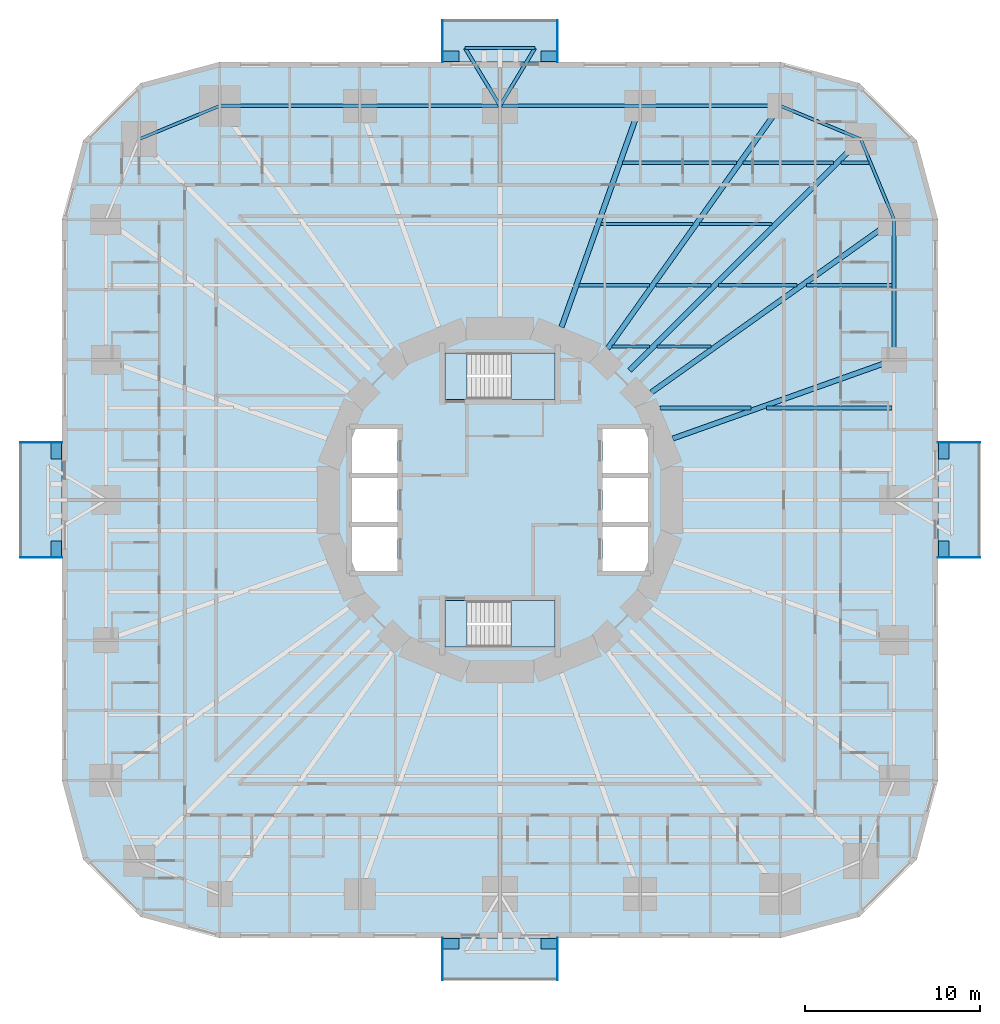
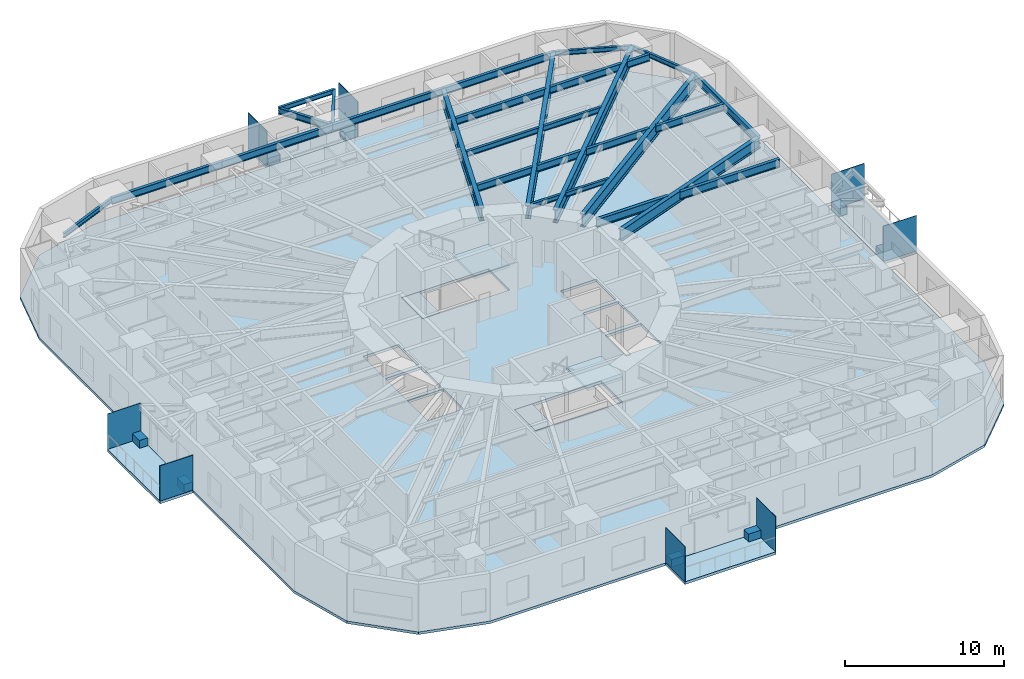
# One storey, part 3 of 14: 29 beams, 16 plates, 9 slabs, 2 elements without a shape of their own.
"""IFC4 building model written with IfcOpenShell, lengths in metres."""

from ifc_helpers import new_model, si_unit, direction, frame, origin, origin_2d, place, context, subcontext, project, spatial, polyline, rectangle, i_section, outline, extrude, material, layer, layer_set, material_profile, profile_set, type_object, element, aggregate, save


model = new_model("IFC4")

# Units and contexts
model_context = context("Model", 3, precision=1e-05, world=origin(), true_north=direction((0.0, 1.0)))
body_context = subcontext(model_context, "Body", "Model", "MODEL_VIEW")
ifc_project = project(units=[si_unit("LENGTHUNIT", "METRE"), si_unit("AREAUNIT", "SQUARE_METRE"), si_unit("VOLUMEUNIT", "CUBIC_METRE"), si_unit("PLANEANGLEUNIT", "RADIAN"), si_unit("MASSUNIT", "GRAM", prefix="KILO")], contexts=[model_context])

# Site, building, storey
site_placement = place(None, origin())
site = spatial("IfcSite", under=ifc_project, at=site_placement, CompositionType="ELEMENT")
building_placement = place(site_placement, origin())
building = spatial("IfcBuilding", under=site, at=building_placement, Name="Nakasero Lantern House", CompositionType="ELEMENT")
storey_placement = place(building_placement, frame((0.0, 0.0, 19.85009765625)))
storey = spatial("IfcBuildingStorey", under=building, at=storey_placement, Name="L04", CompositionType="ELEMENT", Elevation=19.85009765625)

# Beams
ifc_material_1 = material(Name="Steel S355", Category="steel")
ifc_material_profile_1 = material_profile(ifc_material_1, i_section(OverallWidth=0.199462890625, OverallDepth=0.491943359375, WebThickness=0.01806640625, FlangeThickness=0.031982421875, FilletRadius=0.01025390625, at=origin_2d()), Name="UB 457x191x161")
ifc_profile_set_1 = profile_set([ifc_material_profile_1], Name="Steel S355")
beam_type_1 = type_object("IfcBeamType", Name="Balcony splay beam UB 457x191x161", PredefinedType="BEAM", material=ifc_profile_set_1)
for number, where, z_axis, x_axis, name in (
    (1, (0.0, 22.5, 3.40380859375), (-0.518296107317, 0.855201230787, 0.0), (-0.855201230787, -0.518296107317, 0.0), "Balcony splay beam L05 B1-C09A"),
    (2, (0.0, 22.5, 3.40380859375), (0.518296107317, 0.855201230787, 0.0), (-0.855201230787, 0.518296107317, 0.0), "Balcony splay beam L05 B1-C09B"),
):
    element("IfcBeam", number, at=place(storey_placement, frame(where, z_axis=z_axis, x_axis=x_axis)), inside=storey, type_object=beam_type_1, Name=name, PredefinedType="BEAM", context=body_context, shape_type="SweptSolid", body=[
        extrude(i_section(OverallWidth=0.199462890625, OverallDepth=0.491943359375, WebThickness=0.01806640625, FlangeThickness=0.031982421875, FilletRadius=0.01025390625, at=origin_2d()), origin(), (0.0, 0.0, 1.0), 3.85888671875),
    ])
ifc_material_2 = material(Name="Steel S355", Category="steel")
ifc_material_profile_2 = material_profile(ifc_material_2, i_section(OverallWidth=0.17138671875, OverallDepth=0.35498046875, WebThickness=0.00732421875, FlangeThickness=0.011474609375, FilletRadius=0.01025390625, at=origin_2d()), Name="UB 356x171x51")
ifc_profile_set_2 = profile_set([ifc_material_profile_2], Name="Steel S355")
beam_type_2 = type_object("IfcBeamType", Name="Balcony tie beam UB 356x171x51", PredefinedType="BEAM", material=ifc_profile_set_2)
beam_1_placement = place(storey_placement, frame((-2.0, 25.800048828125, 3.472412109375), z_axis=(1.0, 0.0, 0.0), x_axis=(0.0, 1.0, 0.0)))
element("IfcBeam", 3, at=beam_1_placement, inside=storey, type_object=beam_type_2, Name="Balcony tie beam L05 B1-C09", PredefinedType="BEAM", context=body_context, shape_type="SweptSolid", body=[
    extrude(i_section(OverallWidth=0.17138671875, OverallDepth=0.35498046875, WebThickness=0.00732421875, FlangeThickness=0.011474609375, FilletRadius=0.01025390625, at=origin_2d()), origin(), (0.0, 0.0, 1.0), 4.0),
])
ifc_material_3 = material(Name="Steel S355", Category="steel")
ifc_material_profile_3 = material_profile(ifc_material_3, i_section(OverallWidth=0.17138671875, OverallDepth=0.35498046875, WebThickness=0.00732421875, FlangeThickness=0.011474609375, FilletRadius=0.01025390625, at=origin_2d()), Name="UB 356x171x51")
ifc_profile_set_3 = profile_set([ifc_material_profile_3], Name="Steel S355")
beam_type_3 = type_object("IfcBeamType", Name="Infill beam UB 356x171x51", PredefinedType="JOIST", material=ifc_profile_set_3)
beam_2_placement = place(storey_placement, frame((6.40625, 8.75, 3.472412109375), z_axis=(1.0, 0.0, 0.0), x_axis=(0.0, 1.0, 0.0)))
element("IfcBeam", 4, at=beam_2_placement, inside=storey, type_object=beam_type_3, Name="Infill beam L05 10.3", PredefinedType="JOIST", context=body_context, shape_type="SweptSolid", body=[
    extrude(i_section(OverallWidth=0.17138671875, OverallDepth=0.35498046875, WebThickness=0.00732421875, FlangeThickness=0.011474609375, FilletRadius=0.01025390625, at=origin_2d()), origin(), (0.0, 0.0, 1.0), 2.131591796875),
])
beam_3_placement = place(storey_placement, frame((8.962158203125, 8.75, 3.472412109375), z_axis=(1.0, 0.0, 0.0), x_axis=(0.0, 1.0, 0.0)))
element("IfcBeam", 5, at=beam_3_placement, inside=storey, type_object=beam_type_3, Name="Infill beam L05 10.4", PredefinedType="JOIST", context=body_context, shape_type="SweptSolid", body=[
    extrude(i_section(OverallWidth=0.17138671875, OverallDepth=0.35498046875, WebThickness=0.00732421875, FlangeThickness=0.011474609375, FilletRadius=0.01025390625, at=origin_2d()), origin(), (0.0, 0.0, 1.0), 3.083740234375),
])
ifc_material_4 = material(Name="Steel S355", Category="steel")
ifc_material_profile_4 = material_profile(ifc_material_4, i_section(OverallWidth=0.177978515625, OverallDepth=0.406494140625, WebThickness=0.0078125, FlangeThickness=0.0126953125, FilletRadius=0.01025390625, at=origin_2d()), Name="UB 406x178x60")
ifc_profile_set_4 = profile_set([ifc_material_profile_4], Name="Steel S355")
beam_type_4 = type_object("IfcBeamType", Name="Infill beam UB 406x178x60", PredefinedType="JOIST", material=ifc_profile_set_4)
beam_4_placement = place(storey_placement, frame((5.75927734375, 15.75, 3.44677734375), z_axis=(1.0, 0.0, 0.0), x_axis=(0.0, 1.0, 0.0)))
element("IfcBeam", 6, at=beam_4_placement, inside=storey, type_object=beam_type_4, Name="Infill beam L05 12.5", PredefinedType="JOIST", context=body_context, shape_type="SweptSolid", body=[
    extrude(i_section(OverallWidth=0.177978515625, OverallDepth=0.406494140625, WebThickness=0.0078125, FlangeThickness=0.0126953125, FilletRadius=0.01025390625, at=origin_2d()), origin(), (0.0, 0.0, 1.0), 5.256591796875),
])
beam_5_placement = place(storey_placement, frame((11.384033203125, 15.75, 3.44677734375), z_axis=(1.0, 0.0, 0.0), x_axis=(0.0, 1.0, 0.0)))
element("IfcBeam", 7, at=beam_5_placement, inside=storey, type_object=beam_type_4, Name="Infill beam L05 12.6", PredefinedType="JOIST", context=body_context, shape_type="SweptSolid", body=[
    extrude(i_section(OverallWidth=0.177978515625, OverallDepth=0.406494140625, WebThickness=0.0078125, FlangeThickness=0.0126953125, FilletRadius=0.01025390625, at=origin_2d()), origin(), (0.0, 0.0, 1.0), 4.15380859375),
])
ifc_material_5 = material(Name="Steel S355", Category="steel")
ifc_material_profile_5 = material_profile(ifc_material_5, i_section(OverallWidth=0.208740234375, OverallDepth=0.5283203125, WebThickness=0.009521484375, FlangeThickness=0.01318359375, FilletRadius=0.0126953125, at=origin_2d()), Name="UB 533x210x82")
ifc_profile_set_5 = profile_set([ifc_material_profile_5], Name="Steel S355")
beam_type_5 = type_object("IfcBeamType", Name="Infill beam UB 533x210x82", PredefinedType="JOIST", material=ifc_profile_set_5)
beam_6_placement = place(storey_placement, frame((4.5146484375, 12.25, 3.3857421875), z_axis=(1.0, 0.0, 0.0), x_axis=(0.0, 1.0, 0.0)))
element("IfcBeam", 8, at=beam_6_placement, inside=storey, type_object=beam_type_5, Name="Infill beam L05 11.7", PredefinedType="JOIST", context=body_context, shape_type="SweptSolid", body=[
    extrude(i_section(OverallWidth=0.208740234375, OverallDepth=0.5283203125, WebThickness=0.009521484375, FlangeThickness=0.01318359375, FilletRadius=0.0126953125, at=origin_2d()), origin(), (0.0, 0.0, 1.0), 4.012451171875),
])
beam_7_placement = place(storey_placement, frame((8.895263671875, 12.25, 3.3857421875), z_axis=(1.0, 0.0, 0.0), x_axis=(0.0, 1.0, 0.0)))
element("IfcBeam", 9, at=beam_7_placement, inside=storey, type_object=beam_type_5, Name="Infill beam L05 11.8", PredefinedType="JOIST", context=body_context, shape_type="SweptSolid", body=[
    extrude(i_section(OverallWidth=0.208740234375, OverallDepth=0.5283203125, WebThickness=0.009521484375, FlangeThickness=0.01318359375, FilletRadius=0.0126953125, at=origin_2d()), origin(), (0.0, 0.0, 1.0), 3.142578125),
])
beam_8_placement = place(storey_placement, frame((12.462158203125, 12.25, 3.3857421875), z_axis=(1.0, 0.0, 0.0), x_axis=(0.0, 1.0, 0.0)))
element("IfcBeam", 10, at=beam_8_placement, inside=storey, type_object=beam_type_5, Name="Infill beam L05 11.9", PredefinedType="JOIST", context=body_context, shape_type="SweptSolid", body=[
    extrude(i_section(OverallWidth=0.208740234375, OverallDepth=0.5283203125, WebThickness=0.009521484375, FlangeThickness=0.01318359375, FilletRadius=0.0126953125, at=origin_2d()), origin(), (0.0, 0.0, 1.0), 4.505615234375),
])
beam_9_placement = place(storey_placement, frame((17.4853515625, 12.25, 3.3857421875), z_axis=(1.0, 0.0, 0.0), x_axis=(0.0, 1.0, 0.0)))
element("IfcBeam", 11, at=beam_9_placement, inside=storey, type_object=beam_type_5, Name="Infill beam L05 11.10", PredefinedType="JOIST", context=body_context, shape_type="SweptSolid", body=[
    extrude(i_section(OverallWidth=0.208740234375, OverallDepth=0.5283203125, WebThickness=0.009521484375, FlangeThickness=0.01318359375, FilletRadius=0.0126953125, at=origin_2d()), origin(), (0.0, 0.0, 1.0), 4.900146484375),
])
beam_10_placement = place(storey_placement, frame((7.003662109375, 19.25, 3.3857421875), z_axis=(1.0, 0.0, 0.0), x_axis=(0.0, 1.0, 0.0)))
element("IfcBeam", 12, at=beam_10_placement, inside=storey, type_object=beam_type_5, Name="Infill beam L05 13.6", PredefinedType="JOIST", context=body_context, shape_type="SweptSolid", body=[
    extrude(i_section(OverallWidth=0.208740234375, OverallDepth=0.5283203125, WebThickness=0.009521484375, FlangeThickness=0.01318359375, FilletRadius=0.0126953125, at=origin_2d()), origin(), (0.0, 0.0, 1.0), 6.501220703125),
])
beam_11_placement = place(storey_placement, frame((13.873046875, 19.25, 3.3857421875), z_axis=(1.0, 0.0, 0.0), x_axis=(0.0, 1.0, 0.0)))
element("IfcBeam", 13, at=beam_11_placement, inside=storey, type_object=beam_type_5, Name="Infill beam L05 13.7", PredefinedType="JOIST", context=body_context, shape_type="SweptSolid", body=[
    extrude(i_section(OverallWidth=0.208740234375, OverallDepth=0.5283203125, WebThickness=0.009521484375, FlangeThickness=0.01318359375, FilletRadius=0.0126953125, at=origin_2d()), origin(), (0.0, 0.0, 1.0), 5.164794921875),
])
beam_12_placement = place(storey_placement, frame((19.462158203125, 19.25, 3.3857421875), z_axis=(1.0, 0.0, 0.0), x_axis=(0.0, 1.0, 0.0)))
element("IfcBeam", 14, at=beam_12_placement, inside=storey, type_object=beam_type_5, Name="Infill beam L05 13.8", PredefinedType="JOIST", context=body_context, shape_type="SweptSolid", body=[
    extrude(i_section(OverallWidth=0.208740234375, OverallDepth=0.5283203125, WebThickness=0.009521484375, FlangeThickness=0.01318359375, FilletRadius=0.0126953125, at=origin_2d()), origin(), (0.0, 0.0, 1.0), 1.598876953125),
])
ifc_material_6 = material(Name="Steel S355", Category="steel")
ifc_material_profile_6 = material_profile(ifc_material_6, i_section(OverallWidth=0.2275390625, OverallDepth=0.6025390625, WebThickness=0.010498046875, FlangeThickness=0.014892578125, FilletRadius=0.0126953125, at=origin_2d()), Name="UB 610x229x101")
ifc_profile_set_6 = profile_set([ifc_material_profile_6], Name="Steel S355")
beam_type_6 = type_object("IfcBeamType", Name="Infill beam UB 610x229x101", PredefinedType="JOIST", material=ifc_profile_set_6)
beam_13_placement = place(storey_placement, frame((9.144775390625, 5.25, 3.3486328125), z_axis=(1.0, 0.0, 0.0), x_axis=(0.0, 1.0, 0.0)))
element("IfcBeam", 15, at=beam_13_placement, inside=storey, type_object=beam_type_6, Name="Infill beam L05 09.3", PredefinedType="JOIST", context=body_context, shape_type="SweptSolid", body=[
    extrude(i_section(OverallWidth=0.2275390625, OverallDepth=0.6025390625, WebThickness=0.010498046875, FlangeThickness=0.014892578125, FilletRadius=0.0126953125, at=origin_2d()), origin(), (0.0, 0.0, 1.0), 5.184326171875),
])
beam_14_placement = place(storey_placement, frame((15.2021484375, 5.25, 3.3486328125), z_axis=(1.0, 0.0, 0.0), x_axis=(0.0, 1.0, 0.0)))
element("IfcBeam", 16, at=beam_14_placement, inside=storey, type_object=beam_type_6, Name="Infill beam L05 09.4", PredefinedType="JOIST", context=body_context, shape_type="SweptSolid", body=[
    extrude(i_section(OverallWidth=0.2275390625, OverallDepth=0.6025390625, WebThickness=0.010498046875, FlangeThickness=0.014892578125, FilletRadius=0.0126953125, at=origin_2d()), origin(), (0.0, 0.0, 1.0), 7.183349609375),
])
ifc_material_7 = material(Name="Steel S355", Category="steel")
ifc_material_profile_7 = material_profile(ifc_material_7, i_section(OverallWidth=0.300048828125, OverallDepth=0.97021484375, WebThickness=0.01611328125, FlangeThickness=0.02099609375, FilletRadius=0.030029296875, at=origin_2d()), Name="UB 1016x305x222")
ifc_profile_set_7 = profile_set([ifc_material_profile_7], Name="Steel S355")
beam_type_7 = type_object("IfcBeamType", Name="Primary beam UB 1016x305x222, span 12 to 15 m", PredefinedType="BEAM", material=ifc_profile_set_7)
beam_15_placement = place(storey_placement, frame((8.0, 22.5, 3.164794921875), z_axis=(-0.335010745293, -0.942214307118, 0.0), x_axis=(0.942214307118, -0.335010745293, 0.0)))
element("IfcBeam", 17, at=beam_15_placement, inside=storey, type_object=beam_type_7, Name="Primary beam L05 B1-C08", PredefinedType="BEAM", context=body_context, shape_type="SweptSolid", body=[
    extrude(i_section(OverallWidth=0.300048828125, OverallDepth=0.97021484375, WebThickness=0.01611328125, FlangeThickness=0.02099609375, FilletRadius=0.030029296875, at=origin_2d()), origin(), (0.0, 0.0, 1.0), 13.408447265625),
])
ifc_material_8 = material(Name="Steel S355", Category="steel")
ifc_material_profile_8 = material_profile(ifc_material_8, i_section(OverallWidth=0.300048828125, OverallDepth=0.989990234375, WebThickness=0.0166015625, FlangeThickness=0.031005859375, FilletRadius=0.030029296875, at=origin_2d()), Name="UB 1016x305x272")
ifc_profile_set_8 = profile_set([ifc_material_profile_8], Name="Steel S355")
beam_type_8 = type_object("IfcBeamType", Name="Primary beam UB 1016x305x272, span over 15 m", PredefinedType="BEAM", material=ifc_profile_set_8)
beam_16_placement = place(storey_placement, frame((22.5, 16.0, 3.15478515625), z_axis=(-0.814952159915, -0.579528236629, 0.0), x_axis=(0.579528236629, -0.814952159915, 0.0)))
element("IfcBeam", 18, at=beam_16_placement, inside=storey, type_object=beam_type_8, Name="Primary beam L05 B1-C05", PredefinedType="BEAM", context=body_context, shape_type="SweptSolid", body=[
    extrude(i_section(OverallWidth=0.300048828125, OverallDepth=0.989990234375, WebThickness=0.0166015625, FlangeThickness=0.031005859375, FilletRadius=0.030029296875, at=origin_2d()), origin(), (0.0, 0.0, 1.0), 17.003173828125),
])
beam_17_placement = place(storey_placement, frame((20.59619140625, 20.59619140625, 3.15478515625), z_axis=(-0.707106781187, -0.707106781187, 0.0), x_axis=(0.707106781187, -0.707106781187, 0.0)))
element("IfcBeam", 19, at=beam_17_placement, inside=storey, type_object=beam_type_8, Name="Primary beam L05 B1-C06", PredefinedType="BEAM", context=body_context, shape_type="SweptSolid", body=[
    extrude(i_section(OverallWidth=0.300048828125, OverallDepth=0.989990234375, WebThickness=0.0166015625, FlangeThickness=0.031005859375, FilletRadius=0.030029296875, at=origin_2d()), origin(), (0.0, 0.0, 1.0), 18.669677734375),
])
ifc_material_9 = material(Name="Steel S355", Category="steel")
ifc_material_profile_9 = material_profile(ifc_material_9, i_section(OverallWidth=0.300048828125, OverallDepth=1.0, WebThickness=0.01904296875, FlangeThickness=0.035888671875, FilletRadius=0.030029296875, at=origin_2d()), Name="UB 1016x305x314")
ifc_profile_set_9 = profile_set([ifc_material_profile_9], Name="Steel S355")
beam_type_9 = type_object("IfcBeamType", Name="Primary beam UB 1016x305x314, span over 15 m", PredefinedType="BEAM", material=ifc_profile_set_9)
beam_18_placement = place(storey_placement, frame((16.0, 22.5, 3.14990234375), z_axis=(-0.579528236629, -0.814952159915, 0.0), x_axis=(0.814952159915, -0.579528236629, 0.0)))
element("IfcBeam", 20, at=beam_18_placement, inside=storey, type_object=beam_type_9, Name="Primary beam L05 B1-C07", PredefinedType="BEAM", context=body_context, shape_type="SweptSolid", body=[
    extrude(i_section(OverallWidth=0.300048828125, OverallDepth=1.0, WebThickness=0.01904296875, FlangeThickness=0.035888671875, FilletRadius=0.030029296875, at=origin_2d()), origin(), (0.0, 0.0, 1.0), 17.003173828125),
])
ifc_material_10 = material(Name="Steel S355", Category="steel")
ifc_material_profile_10 = material_profile(ifc_material_10, i_section(OverallWidth=0.29248046875, OverallDepth=0.8408203125, WebThickness=0.0146484375, FlangeThickness=0.02685546875, FilletRadius=0.017822265625, at=origin_2d()), Name="UB 838x292x194")
ifc_profile_set_10 = profile_set([ifc_material_profile_10], Name="Steel S355")
beam_type_10 = type_object("IfcBeamType", Name="Primary beam UB 838x292x194, span 12 to 15 m", PredefinedType="BEAM", material=ifc_profile_set_10)
beam_19_placement = place(storey_placement, frame((22.5, 8.0, 3.2294921875), z_axis=(-0.942214307118, -0.335010745293, 0.0), x_axis=(0.335010745293, -0.942214307118, 0.0)))
element("IfcBeam", 21, at=beam_19_placement, inside=storey, type_object=beam_type_10, Name="Primary beam L05 B1-C04", PredefinedType="BEAM", context=body_context, shape_type="SweptSolid", body=[
    extrude(i_section(OverallWidth=0.29248046875, OverallDepth=0.8408203125, WebThickness=0.0146484375, FlangeThickness=0.02685546875, FilletRadius=0.017822265625, at=origin_2d()), origin(), (0.0, 0.0, 1.0), 13.408447265625),
])
ifc_material_11 = material(Name="Steel S355", Category="steel")
ifc_material_profile_11 = material_profile(ifc_material_11, i_section(OverallWidth=0.17138671875, OverallDepth=0.35498046875, WebThickness=0.00732421875, FlangeThickness=0.011474609375, FilletRadius=0.01025390625, at=origin_2d()), Name="UB 356x171x51")
ifc_profile_set_11 = profile_set([ifc_material_profile_11], Name="Steel S355")
beam_type_11 = type_object("IfcBeamType", Name="Ring beam UB 356x171x51", PredefinedType="BEAM", material=ifc_profile_set_11)
for number, where, z_axis, x_axis, name in (
    (22, (22.5, 16.0, 3.472412109375), (-0.382684080569, 0.923879264016, 0.0), (-0.923879264016, -0.382684080569, 0.0), "Ring beam L05 B1-C05"),
    (23, (20.59619140625, 20.59619140625, 3.472412109375), (-0.923879264016, 0.382684080569, 0.0), (-0.382684080569, -0.923879264016, 0.0), "Ring beam L05 B1-C06"),
    (24, (-16.0, 22.5, 3.472412109375), (-0.923879264016, -0.382684080569, 0.0), (0.382684080569, -0.923879264016, 0.0), "Ring beam L05 B1-C11"),
):
    element("IfcBeam", number, at=place(storey_placement, frame(where, z_axis=z_axis, x_axis=x_axis)), inside=storey, type_object=beam_type_11, Name=name, PredefinedType="BEAM", context=body_context, shape_type="SweptSolid", body=[
        extrude(i_section(OverallWidth=0.17138671875, OverallDepth=0.35498046875, WebThickness=0.00732421875, FlangeThickness=0.011474609375, FilletRadius=0.01025390625, at=origin_2d()), origin(), (0.0, 0.0, 1.0), 4.974853515625),
    ])
ifc_material_12 = material(Name="Steel S355", Category="steel")
ifc_material_profile_12 = material_profile(ifc_material_12, i_section(OverallWidth=0.2099609375, OverallDepth=0.53662109375, WebThickness=0.0107421875, FlangeThickness=0.017333984375, FilletRadius=0.0126953125, at=origin_2d()), Name="UB 533x210x101")
ifc_profile_set_12 = profile_set([ifc_material_profile_12], Name="Steel S355")
beam_type_12 = type_object("IfcBeamType", Name="Ring beam UB 533x210x101", PredefinedType="BEAM", material=ifc_profile_set_12)
for number, where, z_axis, x_axis, name in (
    (25, (16.0, 22.5, 3.381591796875), (-1.0, 0.0, 0.0), (0.0, -1.0, 0.0), "Ring beam L05 B1-C07"),
    (26, (8.0, 22.5, 3.381591796875), (-1.0, 0.0, 0.0), (0.0, -1.0, 0.0), "Ring beam L05 B1-C08"),
    (27, (0.0, 22.5, 3.381591796875), (-1.0, 0.0, 0.0), (0.0, -1.0, 0.0), "Ring beam L05 B1-C09"),
    (28, (-8.0, 22.5, 3.381591796875), (-1.0, 0.0, 0.0), (0.0, -1.0, 0.0), "Ring beam L05 B1-C10"),
):
    element("IfcBeam", number, at=place(storey_placement, frame(where, z_axis=z_axis, x_axis=x_axis)), inside=storey, type_object=beam_type_12, Name=name, PredefinedType="BEAM", context=body_context, shape_type="SweptSolid", body=[
        extrude(i_section(OverallWidth=0.2099609375, OverallDepth=0.53662109375, WebThickness=0.0107421875, FlangeThickness=0.017333984375, FilletRadius=0.0126953125, at=origin_2d()), origin(), (0.0, 0.0, 1.0), 8.0),
    ])
ifc_material_13 = material(Name="Steel S355", Category="steel")
ifc_material_profile_13 = material_profile(ifc_material_13, i_section(OverallWidth=0.22900390625, OverallDepth=0.6123046875, WebThickness=0.011962890625, FlangeThickness=0.01953125, FilletRadius=0.0126953125, at=origin_2d()), Name="UB 610x229x125")
ifc_profile_set_13 = profile_set([ifc_material_profile_13], Name="Steel S355")
beam_type_13 = type_object("IfcBeamType", Name="Ring beam UB 610x229x125", PredefinedType="BEAM", material=ifc_profile_set_13)
beam_20_placement = place(storey_placement, frame((22.5, 8.0, 3.34375), z_axis=(0.0, 1.0, 0.0), x_axis=(-1.0, 0.0, 0.0)))
element("IfcBeam", 29, at=beam_20_placement, inside=storey, type_object=beam_type_13, Name="Ring beam L05 B1-C04", PredefinedType="BEAM", context=body_context, shape_type="SweptSolid", body=[
    extrude(i_section(OverallWidth=0.22900390625, OverallDepth=0.6123046875, WebThickness=0.011962890625, FlangeThickness=0.01953125, FilletRadius=0.0126953125, at=origin_2d()), origin(), (0.0, 0.0, 1.0), 8.0),
])

# Plates
ifc_material_14 = material(Name="Aluminium 6063-T6", Category="aluminium")
ifc_layer_1 = layer(ifc_material_14, 0.60009765625)
ifc_layer_set_1 = layer_set([ifc_layer_1], Name="Balcony planter 600x900")
plate_type_1 = type_object("IfcPlateType", Name="Balcony planter 600x900", PredefinedType="USERDEFINED", material=ifc_layer_set_1)
for number, where, z_axis, x_axis, name in (
    (30, (25.320068359375, -2.7900390625, -0.000244140625), (0.0, 0.0, 1.0), (1.0, 0.0, 0.0), "Balcony PLANTER L04 BAL0A"),
    (31, (25.320068359375, 2.7900390625, -0.000244140625), (0.0, 0.0, 1.0), (1.0, 0.0, 0.0), "Balcony PLANTER L04 BAL0B"),
    (32, (2.7900390625, 25.320068359375, -0.000244140625), (0.0, 0.0, 1.0), (0.0, 1.0, 0.0), "Balcony PLANTER L04 BAL1A"),
    (33, (-2.7900390625, 25.320068359375, -0.000244140625), (0.0, 0.0, 1.0), (0.0, 1.0, 0.0), "Balcony PLANTER L04 BAL1B"),
    (34, (-25.320068359375, 2.7900390625, -0.000244140625), (0.0, 0.0, 1.0), (-1.0, 0.0, 0.0), "Balcony PLANTER L04 BAL2A"),
    (35, (-25.320068359375, -2.7900390625, -0.000244140625), (0.0, 0.0, 1.0), (-1.0, 0.0, 0.0), "Balcony PLANTER L04 BAL2B"),
    (36, (-2.7900390625, -25.320068359375, -0.000244140625), (0.0, 0.0, 1.0), (0.0, -1.0, 0.0), "Balcony PLANTER L04 BAL3A"),
    (37, (2.7900390625, -25.320068359375, -0.000244140625), (0.0, 0.0, 1.0), (0.0, -1.0, 0.0), "Balcony PLANTER L04 BAL3B"),
):
    element("IfcPlate", number, at=place(storey_placement, frame(where, z_axis=z_axis, x_axis=x_axis)), inside=storey, type_object=plate_type_1, Name=name, ObjectType="PLANTER", PredefinedType="USERDEFINED", context=body_context, shape_type="SweptSolid", body=[
        extrude(rectangle(XDim=0.60009765625, YDim=0.89990234375, at=origin_2d()), origin(), (0.0, 0.0, 1.0), 0.60009765625),
    ])
ifc_material_15 = material(Name="Aluminium 6063-T6", Category="aluminium")
ifc_layer_2 = layer(ifc_material_15, 0.0400390625)
ifc_layer_set_2 = layer_set([ifc_layer_2], Name="Balcony screen 2400x2700")
plate_type_2 = type_object("IfcPlateType", Name="Balcony screen 2400x2700", PredefinedType="SHEET", material=ifc_layer_set_2)
for number, where, z_axis, x_axis, name in (
    (38, (26.199951171875, -3.280029296875, 0.0), (0.0, 0.0, 1.0), (1.0, 0.0, 0.0), "Balcony SCREEN L04 BAL0A"),
    (39, (26.199951171875, 3.280029296875, 0.0), (0.0, 0.0, 1.0), (1.0, 0.0, 0.0), "Balcony SCREEN L04 BAL0B"),
    (40, (3.280029296875, 26.199951171875, 0.0), (0.0, 0.0, 1.0), (0.0, 1.0, 0.0), "Balcony SCREEN L04 BAL1A"),
    (41, (-3.280029296875, 26.199951171875, 0.0), (0.0, 0.0, 1.0), (0.0, 1.0, 0.0), "Balcony SCREEN L04 BAL1B"),
    (42, (-26.199951171875, 3.280029296875, 0.0), (0.0, 0.0, 1.0), (-1.0, 0.0, 0.0), "Balcony SCREEN L04 BAL2A"),
    (43, (-26.199951171875, -3.280029296875, 0.0), (0.0, 0.0, 1.0), (-1.0, 0.0, 0.0), "Balcony SCREEN L04 BAL2B"),
    (44, (-3.280029296875, -26.199951171875, 0.0), (0.0, 0.0, 1.0), (0.0, -1.0, 0.0), "Balcony SCREEN L04 BAL3A"),
    (45, (3.280029296875, -26.199951171875, 0.0), (0.0, 0.0, 1.0), (0.0, -1.0, 0.0), "Balcony SCREEN L04 BAL3B"),
):
    element("IfcPlate", number, at=place(storey_placement, frame(where, z_axis=z_axis, x_axis=x_axis)), inside=storey, type_object=plate_type_2, Name=name, PredefinedType="SHEET", context=body_context, shape_type="SweptSolid", body=[
        extrude(rectangle(XDim=2.39990234375, YDim=0.0400390625, at=origin_2d()), origin(), (0.0, 0.0, 1.0), 2.699951171875),
    ])

# Slabs
ifc_material_16 = material(Name="Concrete C35/45", Category="concrete")
ifc_layer_3 = layer(ifc_material_16, 0.199951171875)
ifc_layer_set_3 = layer_set([ifc_layer_3], Name="Balcony slab 200")
slab_type_1 = type_object("IfcSlabType", Name="Balcony slab 200", PredefinedType="USERDEFINED", material=ifc_layer_set_3)
slab_1_placement = place(storey_placement, frame((0.0, 0.0, -0.2001953125)))
element("IfcSlab", 46, at=slab_1_placement, inside=storey, type_object=slab_type_1, Name="Balcony L04 BAL0", ObjectType="BALCONY", PredefinedType="USERDEFINED", context=body_context, shape_type="SweptSolid", body=[
    extrude(outline(polyline([(25.0, -3.300048828125), (27.39990234375, -3.300048828125), (27.39990234375, 3.300048828125), (25.0, 3.300048828125), (25.0, -3.300048828125)])), origin(), (0.0, 0.0, 1.0), 0.2001953125),
])
slab_2_placement = place(storey_placement, frame((0.0, 0.0, -0.2001953125)))
element("IfcSlab", 47, at=slab_2_placement, inside=storey, type_object=slab_type_1, Name="Balcony L04 BAL1", ObjectType="BALCONY", PredefinedType="USERDEFINED", context=body_context, shape_type="SweptSolid", body=[
    extrude(outline(polyline([(3.300048828125, 25.0), (3.300048828125, 27.39990234375), (-3.300048828125, 27.39990234375), (-3.300048828125, 25.0), (3.300048828125, 25.0)])), origin(), (0.0, 0.0, 1.0), 0.2001953125),
])
slab_3_placement = place(storey_placement, frame((0.0, 0.0, -0.2001953125)))
element("IfcSlab", 48, at=slab_3_placement, inside=storey, type_object=slab_type_1, Name="Balcony L04 BAL2", ObjectType="BALCONY", PredefinedType="USERDEFINED", context=body_context, shape_type="SweptSolid", body=[
    extrude(outline(polyline([(-25.0, 3.300048828125), (-27.39990234375, 3.300048828125), (-27.39990234375, -3.300048828125), (-25.0, -3.300048828125), (-25.0, 3.300048828125)])), origin(), (0.0, 0.0, 1.0), 0.2001953125),
])
slab_4_placement = place(storey_placement, frame((0.0, 0.0, -0.2001953125)))
element("IfcSlab", 49, at=slab_4_placement, inside=storey, type_object=slab_type_1, Name="Balcony L04 BAL3", ObjectType="BALCONY", PredefinedType="USERDEFINED", context=body_context, shape_type="SweptSolid", body=[
    extrude(outline(polyline([(-3.300048828125, -25.0), (-3.300048828125, -27.39990234375), (3.300048828125, -27.39990234375), (3.300048828125, -25.0), (-3.300048828125, -25.0)])), origin(), (0.0, 0.0, 1.0), 0.2001953125),
])
ifc_material_17 = material(Name="Concrete C35/45", Category="concrete")
ifc_layer_4 = layer(ifc_material_17, 0.199951171875)
ifc_layer_set_4 = layer_set([ifc_layer_4], Name="Composite floor slab 200")
slab_type_2 = type_object("IfcSlabType", Name="Composite floor slab 200", PredefinedType="FLOOR", material=ifc_layer_set_4)
slab_5_placement = place(storey_placement, frame((0.0, 0.0, -0.2001953125)))
element("IfcSlab", 50, at=slab_5_placement, inside=storey, type_object=slab_type_2, Name="Floor slab L04", PredefinedType="FLOOR", context=body_context, shape_type="SweptSolid", body=[
    extrude(outline(polyline([(25.0, 16.0), (23.794189453125, 20.5), (20.5, 23.794189453125), (16.0, 25.0), (-16.0, 25.0), (-20.5, 23.794189453125), (-23.794189453125, 20.5), (-25.0, 16.0), (-25.0, -16.0), (-23.794189453125, -20.5), (-20.5, -23.794189453125), (-16.0, -25.0), (16.0, -25.0), (20.5, -23.794189453125), (23.794189453125, -20.5), (25.0, -16.0), (25.0, 16.0)]), holes=[polyline([(-8.449951171875, -4.050048828125), (-5.85009765625, -4.050048828125), (-5.85009765625, -1.550048828125), (-8.449951171875, -1.550048828125), (-8.449951171875, -4.050048828125)]), polyline([(-8.449951171875, -1.25), (-5.85009765625, -1.25), (-5.85009765625, 1.25), (-8.449951171875, 1.25), (-8.449951171875, -1.25)]), polyline([(-8.449951171875, 1.550048828125), (-5.85009765625, 1.550048828125), (-5.85009765625, 4.050048828125), (-8.449951171875, 4.050048828125), (-8.449951171875, 1.550048828125)]), polyline([(5.85009765625, -4.050048828125), (8.449951171875, -4.050048828125), (8.449951171875, -1.550048828125), (5.85009765625, -1.550048828125), (5.85009765625, -4.050048828125)]), polyline([(5.85009765625, -1.25), (8.449951171875, -1.25), (8.449951171875, 1.25), (5.85009765625, 1.25), (5.85009765625, -1.25)]), polyline([(5.85009765625, 1.550048828125), (8.449951171875, 1.550048828125), (8.449951171875, 4.050048828125), (5.85009765625, 4.050048828125), (5.85009765625, 1.550048828125)]), polyline([(-3.14990234375, 5.75), (3.14990234375, 5.75), (3.14990234375, 8.39990234375), (-3.14990234375, 8.39990234375), (-3.14990234375, 5.75)]), polyline([(-3.14990234375, -8.39990234375), (3.14990234375, -8.39990234375), (3.14990234375, -5.75), (-3.14990234375, -5.75), (-3.14990234375, -8.39990234375)])]), origin(), (0.0, 0.0, 1.0), 0.2001953125),
])

# Stair, slabs
ifc_material_18 = material(Name="Concrete C40/50", Category="concrete")
stair_type_1 = type_object("IfcStairType", Name="Escape stair ST1 22 risers", PredefinedType="HALF_TURN_STAIR", material=ifc_material_18)
stair_1_placement = place(storey_placement, origin())
stair_1 = element("IfcStair", 51, at=stair_1_placement, inside=storey, type_object=stair_type_1, Name="Escape stair ST1 L04", PredefinedType="HALF_TURN_STAIR")
ifc_material_19 = material(Name="Concrete C40/50", Category="concrete")
ifc_layer_5 = layer(ifc_material_19, 0.199951171875)
ifc_layer_set_5 = layer_set([ifc_layer_5], Name="Stair landing 200")
slab_type_3 = type_object("IfcSlabType", Name="Stair landing 200", PredefinedType="LANDING", material=ifc_layer_set_5)
slab_6_placement = place(storey_placement, frame((0.0, 0.0, -0.2001953125)))
slab_6 = element("IfcSlab", 52, at=slab_6_placement, type_object=slab_type_3, Name="ST1 landing 1", PredefinedType="LANDING", context=body_context, shape_type="SweptSolid", body=[
    extrude(outline(polyline([(-3.14990234375, 5.75), (-1.875, 5.75), (-1.875, 8.39990234375), (-3.14990234375, 8.39990234375), (-3.14990234375, 5.75)])), origin(), (0.0, 0.0, 1.0), 0.2001953125),
])
slab_7_placement = place(storey_placement, frame((0.0, 0.0, 1.724853515625)))
slab_7 = element("IfcSlab", 53, at=slab_7_placement, type_object=slab_type_3, Name="ST1 landing 2", PredefinedType="LANDING", context=body_context, shape_type="SweptSolid", body=[
    extrude(outline(polyline([(0.625, 5.75), (3.14990234375, 5.75), (3.14990234375, 8.39990234375), (0.625, 8.39990234375), (0.625, 5.75)])), origin(), (0.0, 0.0, 1.0), 0.199951171875),
])
aggregate(stair_1, [slab_6, slab_7])

ifc_material_20 = material(Name="Concrete C40/50", Category="concrete")
stair_type_2 = type_object("IfcStairType", Name="Escape stair ST2 22 risers", PredefinedType="HALF_TURN_STAIR", material=ifc_material_20)
stair_2_placement = place(storey_placement, origin())
stair_2 = element("IfcStair", 54, at=stair_2_placement, inside=storey, type_object=stair_type_2, Name="Escape stair ST2 L04", PredefinedType="HALF_TURN_STAIR")
slab_8_placement = place(storey_placement, frame((0.0, 0.0, -0.2001953125)))
slab_8 = element("IfcSlab", 55, at=slab_8_placement, type_object=slab_type_3, Name="ST2 landing 1", PredefinedType="LANDING", context=body_context, shape_type="SweptSolid", body=[
    extrude(outline(polyline([(-3.14990234375, -8.39990234375), (-1.875, -8.39990234375), (-1.875, -5.75), (-3.14990234375, -5.75), (-3.14990234375, -8.39990234375)])), origin(), (0.0, 0.0, 1.0), 0.2001953125),
])
slab_9_placement = place(storey_placement, frame((0.0, 0.0, 1.724853515625)))
slab_9 = element("IfcSlab", 56, at=slab_9_placement, type_object=slab_type_3, Name="ST2 landing 2", PredefinedType="LANDING", context=body_context, shape_type="SweptSolid", body=[
    extrude(outline(polyline([(0.625, -8.39990234375), (3.14990234375, -8.39990234375), (3.14990234375, -5.75), (0.625, -5.75), (0.625, -8.39990234375)])), origin(), (0.0, 0.0, 1.0), 0.199951171875),
])
aggregate(stair_2, [slab_8, slab_9])

save(model, "model.ifc")
